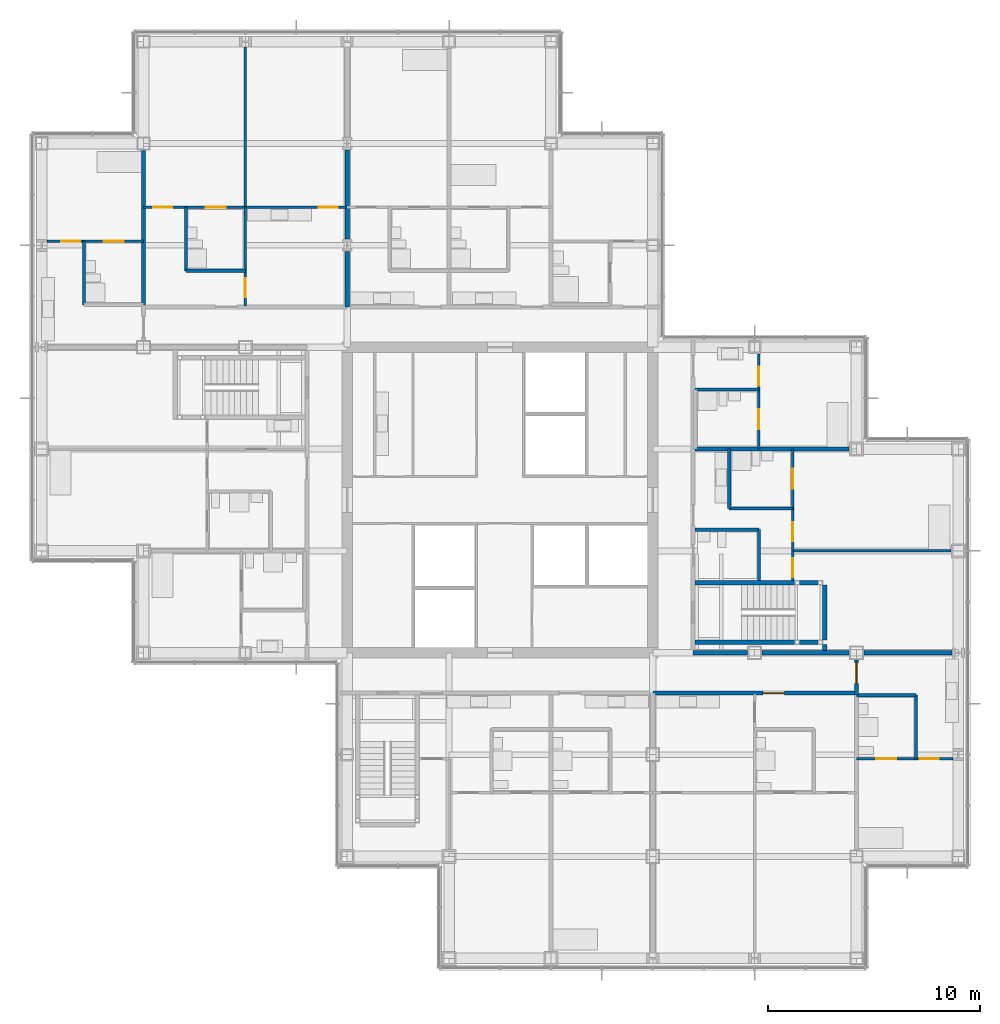
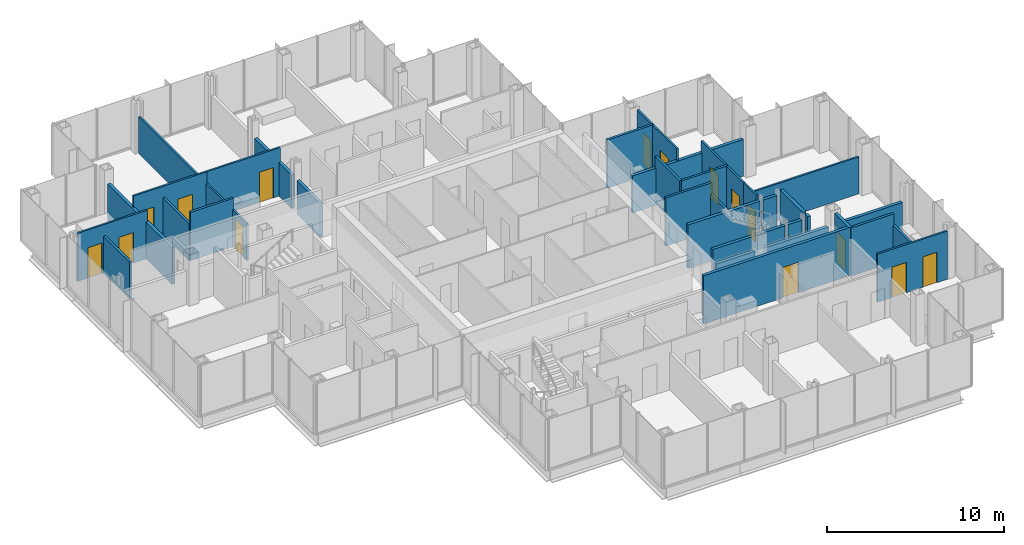
# One storey, part 16 of 20: 35 walls, 15 doors, 15 openings.
"""IFC4 building model written with IfcOpenShell, lengths in metres."""

from ifc_helpers import new_model, si_unit, direction, frame, frame_2d, origin, place, context, subcontext, project, spatial, rectangle, extrude, material, layer, layer_set, type_object, element, fill, save


model = new_model("IFC4")

# Units and contexts
model_context = context("Model", 3, precision=1e-05, world=origin(), true_north=direction((0.0, 1.0)))
body_context = subcontext(model_context, "Body", "Model", "MODEL_VIEW")
ifc_project = project(units=[si_unit("LENGTHUNIT", "METRE"), si_unit("AREAUNIT", "SQUARE_METRE"), si_unit("VOLUMEUNIT", "CUBIC_METRE"), si_unit("PLANEANGLEUNIT", "RADIAN"), si_unit("MASSUNIT", "GRAM", prefix="KILO")], contexts=[model_context])

# Site, building, storey
site_placement = place(None, origin())
site = spatial("IfcSite", under=ifc_project, at=site_placement, CompositionType="ELEMENT")
building_placement = place(site_placement, origin())
building = spatial("IfcBuilding", under=site, at=building_placement, Name="Kvirike Care Tower", CompositionType="ELEMENT")
storey_placement = place(building_placement, frame((0.0, 0.0, 94.5)))
storey = spatial("IfcBuildingStorey", under=building, at=storey_placement, Name="L25", CompositionType="ELEMENT", Elevation=94.5)

# Walls
ifc_material_1 = material(Name="Moisture-resistant board partition", Category="gypsum")
ifc_layer_1 = layer(ifc_material_1, 0.14990234375)
ifc_layer_set_1 = layer_set([ifc_layer_1], Name="BATHROOM WALL 150")
wall_type_1 = type_object("IfcWallType", Name="BATHROOM WALL 150", PredefinedType="PARTITIONING", material=ifc_layer_set_1)
wall_1_placement = place(storey_placement, frame((6.800048828125, 49.800048828125, 0.0), z_axis=(0.0, 0.0, 1.0), x_axis=(0.0, -1.0, 0.0)))
element("IfcWall", 1, at=wall_1_placement, inside=storey, type_object=wall_type_1, Name="Bathroom Wall 150 L25", PredefinedType="PARTITIONING", context=body_context, shape_type="SweptSolid", body=[
    extrude(rectangle(XDim=3.0, YDim=0.14990234375, at=frame_2d((1.5, 0.0))), origin(), (0.0, 0.0, 1.0), 2.550048828125),
])
wall_2_placement = place(storey_placement, frame((9.60009765625, 46.800048828125, 0.0), z_axis=(0.0, 0.0, 1.0), x_axis=(-1.0, 0.0, 0.0)))
element("IfcWall", 2, at=wall_2_placement, inside=storey, type_object=wall_type_1, Name="Bathroom Wall 150 L25", PredefinedType="PARTITIONING", context=body_context, shape_type="SweptSolid", body=[
    extrude(rectangle(XDim=2.800048828125, YDim=0.14990234375, at=frame_2d((1.39990234375, 0.0))), origin(), (0.0, 0.0, 1.0), 3.330078125),
])
for number, where, z_axis, x_axis, name in (
    (3, (2.0, 48.199951171875, 0.0), (0.0, 0.0, 1.0), (0.0, -1.0, 0.0), "Bathroom Wall 150 L25"),
    (4, (41.199951171875, 23.800048828125, 0.0), (0.0, 0.0, 1.0), (0.0, 1.0, 0.0), "Bathroom Wall 150 L25"),
):
    element("IfcWall", number, at=place(storey_placement, frame(where, z_axis=z_axis, x_axis=x_axis)), inside=storey, type_object=wall_type_1, Name=name, PredefinedType="PARTITIONING", context=body_context, shape_type="SweptSolid", body=[
        extrude(rectangle(XDim=3.0, YDim=0.14990234375, at=frame_2d((1.5, 0.0))), origin(), (0.0, 0.0, 1.0), 2.550048828125),
    ])
wall_3_placement = place(storey_placement, frame((38.39990234375, 26.800048828125, 0.0), z_axis=(0.0, 0.0, 1.0), x_axis=(1.0, 0.0, 0.0)))
element("IfcWall", 5, at=wall_3_placement, inside=storey, type_object=wall_type_1, Name="Bathroom Wall 150 L25", PredefinedType="PARTITIONING", context=body_context, shape_type="SweptSolid", body=[
    extrude(rectangle(XDim=2.800048828125, YDim=0.14990234375, at=frame_2d((1.39990234375, 0.0))), origin(), (0.0, 0.0, 1.0), 3.330078125),
])
wall_4_placement = place(storey_placement, frame((33.800048828125, 32.199951171875, 0.0), z_axis=(0.0, 0.0, 1.0), x_axis=(0.0, 1.0, 0.0)))
element("IfcWall", 6, at=wall_4_placement, inside=storey, type_object=wall_type_1, Name="Bathroom Wall 150 L25", PredefinedType="PARTITIONING", context=body_context, shape_type="SweptSolid", body=[
    extrude(rectangle(XDim=2.400146484375, YDim=0.14990234375, at=frame_2d((1.2001953125, 0.0))), origin(), (0.0, 0.0, 1.0), 2.550048828125),
])
for number, where, z_axis, x_axis, name in (
    (7, (33.800048828125, 34.60009765625, 0.0), (0.0, 0.0, 1.0), (-1.0, 0.0, 0.0), "Bathroom Wall 150 L25"),
    (8, (35.39990234375, 35.60009765625, 0.0), (0.0, 0.0, 1.0), (-1.0, 0.0, 0.0), "Bathroom Wall 150 L25"),
):
    element("IfcWall", number, at=place(storey_placement, frame(where, z_axis=z_axis, x_axis=x_axis)), inside=storey, type_object=wall_type_1, Name=name, PredefinedType="PARTITIONING", context=body_context, shape_type="SweptSolid", body=[
        extrude(rectangle(XDim=3.0, YDim=0.14990234375, at=frame_2d((1.5, 0.0))), origin(), (0.0, 0.0, 1.0), 3.330078125),
    ])
wall_5_placement = place(storey_placement, frame((32.39990234375, 35.60009765625, 0.0), z_axis=(0.0, 0.0, 1.0), x_axis=(0.0, 1.0, 0.0)))
element("IfcWall", 9, at=wall_5_placement, inside=storey, type_object=wall_type_1, Name="Bathroom Wall 150 L25", PredefinedType="PARTITIONING", context=body_context, shape_type="SweptSolid", body=[
    extrude(rectangle(XDim=2.7998046875, YDim=0.14990234375, at=frame_2d((1.39990234375, 0.0))), origin(), (0.0, 0.0, 1.0), 3.330078125),
])
wall_6_placement = place(storey_placement, frame((33.800048828125, 41.199951171875, 0.0), z_axis=(0.0, 0.0, 1.0), x_axis=(-1.0, 0.0, 0.0)))
element("IfcWall", 10, at=wall_6_placement, inside=storey, type_object=wall_type_1, Name="Bathroom Wall 150 L25", PredefinedType="PARTITIONING", context=body_context, shape_type="SweptSolid", body=[
    extrude(rectangle(XDim=3.0, YDim=0.14990234375, at=frame_2d((1.5, 0.0))), origin(), (0.0, 0.0, 1.0), 3.330078125),
])

# Wall, opening, door
ifc_material_2 = material(Name="Plasterboard corridor wall", Category="gypsum")
ifc_layer_2 = layer(ifc_material_2, 0.199951171875)
ifc_layer_set_2 = layer_set([ifc_layer_2], Name="CORRIDOR WALL 200")
wall_type_2 = type_object("IfcWallType", Name="CORRIDOR WALL 200", PredefinedType="PARTITIONING", material=ifc_layer_set_2)
wall_7_placement = place(storey_placement, frame((28.800048828125, 26.89990234375, 0.0), z_axis=(0.0, 0.0, 1.0), x_axis=(1.0, 0.0, 0.0)))
wall_7 = element("IfcWall", 11, at=wall_7_placement, inside=storey, type_object=wall_type_2, Name="Corridor Wall 200 L25", PredefinedType="PARTITIONING", context=body_context, shape_type="SweptSolid", body=[
    extrude(rectangle(XDim=9.599853515625, YDim=0.199951171875, at=frame_2d((4.7998046875, 0.0))), origin(), (0.0, 0.0, 1.0), 3.330078125),
])
opening_1_placement = place(wall_7_placement, frame((5.199951171875, 0.0, 0.0)))
opening_1 = element("IfcOpeningElement", 12, at=opening_1_placement, cuts=wall_7, Name="Opening 25-041", PredefinedType="OPENING", context=body_context, shape_type="SweptSolid", body=[
    extrude(rectangle(XDim=1.0, YDim=2.10009765625, at=frame_2d((0.5, 1.050048828125))), frame((0.0, 0.110595703125, 0.0), z_axis=(0.0, -1.0, 0.0), x_axis=(1.0, 0.0, 0.0)), (0.0, 0.0, 1.0), 0.220947265625),
])
ifc_material_3 = material(Name="Timber door set", Category="wood")
door_type_1 = type_object("IfcDoorType", Name="FLAT ENTRANCE DOOR 1000", OperationType="SINGLE_SWING_LEFT", PredefinedType="DOOR", material=ifc_material_3)
door_1_placement = place(opening_1_placement, frame((1.0, 0.0, 0.0), z_axis=(0.0, 0.0, 1.0), x_axis=(-1.0, 0.0, 0.0)))
door_1 = element("IfcDoor", 13, at=door_1_placement, inside=storey, type_object=door_type_1, Name="Accessible assisted living suite entrance", OperationType="SINGLE_SWING_LEFT", OverallHeight=2.10009765625, OverallWidth=1.0, PredefinedType="DOOR", context=body_context, shape_type="SweptSolid", body=[
    extrude(rectangle(XDim=1.0, YDim=2.10009765625, at=frame_2d((0.5, 1.050048828125))), frame((0.0, 0.02685546875, 0.0), z_axis=(0.0, -1.0, 0.0), x_axis=(1.0, 0.0, 0.0)), (0.0, 0.0, 1.0), 0.053955078125),
])
fill(opening_1, door_1)

wall_8_placement = place(storey_placement, frame((38.39990234375, 26.800048828125, 0.0), z_axis=(0.0, 0.0, 1.0), x_axis=(0.0, 1.0, 0.0)))
wall_8 = element("IfcWall", 14, at=wall_8_placement, inside=storey, type_object=wall_type_2, Name="Corridor Wall 200 L25", PredefinedType="PARTITIONING", context=body_context, shape_type="SweptSolid", body=[
    extrude(rectangle(XDim=1.655029296875, YDim=0.199951171875, at=frame_2d((0.82763671875, 0.0))), origin(), (0.0, 0.0, 1.0), 3.330078125),
])
opening_2_placement = place(wall_8_placement, frame((0.550048828125, 0.0, 0.0)))
opening_2 = element("IfcOpeningElement", 15, at=opening_2_placement, cuts=wall_8, Name="Opening 25-042", PredefinedType="OPENING", context=body_context, shape_type="SweptSolid", body=[
    extrude(rectangle(XDim=1.0, YDim=2.10009765625, at=frame_2d((0.5, 1.050048828125))), frame((0.0, 0.110595703125, 0.0), z_axis=(0.0, -1.0, 0.0), x_axis=(1.0, 0.0, 0.0)), (0.0, 0.0, 1.0), 0.220947265625),
])
door_2_placement = place(opening_2_placement, frame((1.0, 0.0, 0.0), z_axis=(0.0, 0.0, 1.0), x_axis=(-1.0, 0.0, 0.0)))
door_2 = element("IfcDoor", 16, at=door_2_placement, inside=storey, type_object=door_type_1, Name="Assisted living suite entrance", OperationType="SINGLE_SWING_RIGHT", OverallHeight=2.10009765625, OverallWidth=1.0, PredefinedType="DOOR", context=body_context, shape_type="SweptSolid", body=[
    extrude(rectangle(XDim=1.0, YDim=2.10009765625, at=frame_2d((0.5, 1.050048828125))), frame((0.0, 0.02685546875, 0.0), z_axis=(0.0, -1.0, 0.0), x_axis=(1.0, 0.0, 0.0)), (0.0, 0.0, 1.0), 0.053955078125),
])
fill(opening_2, door_2)

ifc_material_4 = material(Name="Plasterboard partition", Category="gypsum")
ifc_layer_3 = layer(ifc_material_4, 0.1201171875)
ifc_layer_set_3 = layer_set([ifc_layer_3], Name="PARTITION 120")
wall_type_3 = type_object("IfcWallType", Name="PARTITION 120", PredefinedType="PARTITIONING", material=ifc_layer_set_3)
wall_9_placement = place(storey_placement, frame((9.60009765625, 49.800048828125, 0.0), z_axis=(0.0, 0.0, 1.0), x_axis=(0.0, -1.0, 0.0)))
wall_9 = element("IfcWall", 17, at=wall_9_placement, inside=storey, type_object=wall_type_3, Name="Partition 120 L25", PredefinedType="PARTITIONING", context=body_context, shape_type="SweptSolid", body=[
    extrude(rectangle(XDim=4.650146484375, YDim=0.1201171875, at=frame_2d((2.3251953125, 0.0))), origin(), (0.0, 0.0, 1.0), 2.550048828125),
])
opening_3_placement = place(wall_9_placement, frame((3.35009765625, 0.0, 0.0)))
opening_3 = element("IfcOpeningElement", 18, at=opening_3_placement, cuts=wall_9, Name="Opening 25-010", PredefinedType="OPENING", context=body_context, shape_type="SweptSolid", body=[
    extrude(rectangle(XDim=0.89990234375, YDim=2.10009765625, at=frame_2d((0.449951171875, 1.050048828125))), frame((0.0, 0.070556640625, 0.0), z_axis=(0.0, -1.0, 0.0), x_axis=(1.0, 0.0, 0.0)), (0.0, 0.0, 1.0), 0.14111328125),
])
ifc_material_5 = material(Name="Timber door set", Category="wood")
door_type_2 = type_object("IfcDoorType", Name="INTERNAL DOOR 900", OperationType="SINGLE_SWING_LEFT", PredefinedType="DOOR", material=ifc_material_5)
door_3_placement = place(opening_3_placement, origin())
door_3 = element("IfcDoor", 19, at=door_3_placement, inside=storey, type_object=door_type_2, Name="Hall door", OperationType="SINGLE_SWING_LEFT", OverallHeight=2.10009765625, OverallWidth=0.89990234375, PredefinedType="DOOR", context=body_context, shape_type="SweptSolid", body=[
    extrude(rectangle(XDim=0.89990234375, YDim=2.10009765625, at=frame_2d((0.449951171875, 1.050048828125))), frame((0.0, 0.02197265625, 0.0), z_axis=(0.0, -1.0, 0.0), x_axis=(1.0, 0.0, 0.0)), (0.0, 0.0, 1.0), 0.0439453125),
])
fill(opening_3, door_3)

wall_10_placement = place(storey_placement, frame((14.39990234375, 49.800048828125, 0.0), z_axis=(0.0, 0.0, 1.0), x_axis=(-1.0, 0.0, 0.0)))
wall_10 = element("IfcWall", 20, at=wall_10_placement, inside=storey, type_object=wall_type_3, Name="Partition 120 L25", PredefinedType="PARTITIONING", context=body_context, shape_type="SweptSolid", body=[
    extrude(rectangle(XDim=4.7998046875, YDim=0.1201171875, at=frame_2d((2.39990234375, 0.0))), origin(), (0.0, 0.0, 1.0), 3.330078125),
])
opening_4_placement = place(wall_10_placement, frame((0.449951171875, 0.0, 0.0)))
opening_4 = element("IfcOpeningElement", 21, at=opening_4_placement, cuts=wall_10, Name="Opening 25-011", PredefinedType="OPENING", context=body_context, shape_type="SweptSolid", body=[
    extrude(rectangle(XDim=0.89990234375, YDim=2.10009765625, at=frame_2d((0.449951171875, 1.050048828125))), frame((0.0, 0.070556640625, 0.0), z_axis=(0.0, -1.0, 0.0), x_axis=(1.0, 0.0, 0.0)), (0.0, 0.0, 1.0), 0.14111328125),
])
door_4_placement = place(opening_4_placement, origin())
door_4 = element("IfcDoor", 22, at=door_4_placement, inside=storey, type_object=door_type_2, Name="Suite sitting room door", OperationType="SINGLE_SWING_RIGHT", OverallHeight=2.10009765625, OverallWidth=0.89990234375, PredefinedType="DOOR", context=body_context, shape_type="SweptSolid", body=[
    extrude(rectangle(XDim=0.89990234375, YDim=2.10009765625, at=frame_2d((0.449951171875, 1.050048828125))), frame((0.0, 0.02197265625, 0.0), z_axis=(0.0, -1.0, 0.0), x_axis=(1.0, 0.0, 0.0)), (0.0, 0.0, 1.0), 0.0439453125),
])
fill(opening_4, door_4)

# Wall, openings, doors
wall_11_placement = place(storey_placement, frame((9.60009765625, 49.800048828125, 0.0), z_axis=(0.0, 0.0, 1.0), x_axis=(-1.0, 0.0, 0.0)))
wall_11 = element("IfcWall", 23, at=wall_11_placement, inside=storey, type_object=wall_type_3, Name="Partition 120 L25", PredefinedType="PARTITIONING", context=body_context, shape_type="SweptSolid", body=[
    extrude(rectangle(XDim=4.800048828125, YDim=0.1201171875, at=frame_2d((2.39990234375, 0.0))), origin(), (0.0, 0.0, 1.0), 3.330078125),
])
opening_5_placement = place(wall_11_placement, frame((3.449951171875, 0.0, 0.0)))
opening_5 = element("IfcOpeningElement", 24, at=opening_5_placement, cuts=wall_11, Name="Opening 25-012", PredefinedType="OPENING", context=body_context, shape_type="SweptSolid", body=[
    extrude(rectangle(XDim=0.89990234375, YDim=2.10009765625, at=frame_2d((0.449951171875, 1.050048828125))), frame((0.0, 0.070556640625, 0.0), z_axis=(0.0, -1.0, 0.0), x_axis=(1.0, 0.0, 0.0)), (0.0, 0.0, 1.0), 0.14111328125),
])
opening_6_placement = place(wall_11_placement, frame((0.925048828125, 0.0, 0.0)))
opening_6 = element("IfcOpeningElement", 25, at=opening_6_placement, cuts=wall_11, Name="Opening 25-013", PredefinedType="OPENING", context=body_context, shape_type="SweptSolid", body=[
    extrude(rectangle(XDim=0.949951171875, YDim=2.10009765625, at=frame_2d((0.47509765625, 1.050048828125))), frame((0.0, 0.070556640625, 0.0), z_axis=(0.0, -1.0, 0.0), x_axis=(1.0, 0.0, 0.0)), (0.0, 0.0, 1.0), 0.14111328125),
])
ifc_material_6 = material(Name="Timber door set", Category="wood")
door_type_3 = type_object("IfcDoorType", Name="EN-SUITE SLIDING DOOR 950", OperationType="SLIDING_TO_LEFT", PredefinedType="DOOR", material=ifc_material_6)
door_5_placement = place(opening_6_placement, origin())
door_5 = element("IfcDoor", 26, at=door_5_placement, inside=storey, type_object=door_type_3, Name="En-suite door", OperationType="SLIDING_TO_RIGHT", OverallHeight=2.10009765625, OverallWidth=0.949951171875, PredefinedType="DOOR", context=body_context, shape_type="SweptSolid", body=[
    extrude(rectangle(XDim=0.949951171875, YDim=2.10009765625, at=frame_2d((0.47509765625, 1.050048828125))), frame((0.0, 0.02197265625, 0.0), z_axis=(0.0, -1.0, 0.0), x_axis=(1.0, 0.0, 0.0)), (0.0, 0.0, 1.0), 0.0439453125),
])
fill(opening_6, door_5)
door_6_placement = place(opening_5_placement, origin())
door_6 = element("IfcDoor", 27, at=door_6_placement, inside=storey, type_object=door_type_2, Name="Accessible assisted living suite door", OperationType="SINGLE_SWING_LEFT", OverallHeight=2.10009765625, OverallWidth=0.89990234375, PredefinedType="DOOR", context=body_context, shape_type="SweptSolid", body=[
    extrude(rectangle(XDim=0.89990234375, YDim=2.10009765625, at=frame_2d((0.449951171875, 1.050048828125))), frame((0.0, 0.02197265625, 0.0), z_axis=(0.0, -1.0, 0.0), x_axis=(1.0, 0.0, 0.0)), (0.0, 0.0, 1.0), 0.0439453125),
])
fill(opening_5, door_6)

# Wall
wall_12_placement = place(storey_placement, frame((9.60009765625, 57.35302734375, 0.0), z_axis=(0.0, 0.0, 1.0), x_axis=(0.0, -1.0, 0.0)))
element("IfcWall", 28, at=wall_12_placement, inside=storey, type_object=wall_type_3, Name="Partition 120 L25", PredefinedType="PARTITIONING", context=body_context, shape_type="SweptSolid", body=[
    extrude(rectangle(XDim=7.552978515625, YDim=0.1201171875, at=frame_2d((3.7763671875, 0.0))), origin(), (0.0, 0.0, 1.0), 2.550048828125),
])

# Wall, openings, doors
wall_13_placement = place(storey_placement, frame((4.800048828125, 48.199951171875, 0.0), z_axis=(0.0, 0.0, 1.0), x_axis=(-1.0, 0.0, 0.0)))
wall_13 = element("IfcWall", 29, at=wall_13_placement, inside=storey, type_object=wall_type_3, Name="Partition 120 L25", PredefinedType="PARTITIONING", context=body_context, shape_type="SweptSolid", body=[
    extrude(rectangle(XDim=4.552978515625, YDim=0.1201171875, at=frame_2d((2.2763671875, 0.0))), origin(), (0.0, 0.0, 1.0), 3.330078125),
])
opening_7_placement = place(wall_13_placement, frame((2.97509765625, 0.0, 0.0)))
opening_7 = element("IfcOpeningElement", 30, at=opening_7_placement, cuts=wall_13, Name="Opening 25-014", PredefinedType="OPENING", context=body_context, shape_type="SweptSolid", body=[
    extrude(rectangle(XDim=0.89990234375, YDim=2.10009765625, at=frame_2d((0.449951171875, 1.050048828125))), frame((0.0, 0.070556640625, 0.0), z_axis=(0.0, -1.0, 0.0), x_axis=(1.0, 0.0, 0.0)), (0.0, 0.0, 1.0), 0.14111328125),
])
opening_8_placement = place(wall_13_placement, frame((0.925048828125, 0.0, 0.0)))
opening_8 = element("IfcOpeningElement", 31, at=opening_8_placement, cuts=wall_13, Name="Opening 25-015", PredefinedType="OPENING", context=body_context, shape_type="SweptSolid", body=[
    extrude(rectangle(XDim=0.949951171875, YDim=2.10009765625, at=frame_2d((0.47509765625, 1.050048828125))), frame((0.0, 0.070556640625, 0.0), z_axis=(0.0, -1.0, 0.0), x_axis=(1.0, 0.0, 0.0)), (0.0, 0.0, 1.0), 0.14111328125),
])
door_7_placement = place(opening_8_placement, origin())
door_7 = element("IfcDoor", 32, at=door_7_placement, inside=storey, type_object=door_type_3, Name="En-suite door", OperationType="SLIDING_TO_LEFT", OverallHeight=2.10009765625, OverallWidth=0.949951171875, PredefinedType="DOOR", context=body_context, shape_type="SweptSolid", body=[
    extrude(rectangle(XDim=0.949951171875, YDim=2.10009765625, at=frame_2d((0.47509765625, 1.050048828125))), frame((0.0, 0.02197265625, 0.0), z_axis=(0.0, -1.0, 0.0), x_axis=(1.0, 0.0, 0.0)), (0.0, 0.0, 1.0), 0.0439453125),
])
fill(opening_8, door_7)
door_8_placement = place(opening_7_placement, origin())
door_8 = element("IfcDoor", 33, at=door_8_placement, inside=storey, type_object=door_type_2, Name="Assisted living suite door", OperationType="SINGLE_SWING_RIGHT", OverallHeight=2.10009765625, OverallWidth=0.89990234375, PredefinedType="DOOR", context=body_context, shape_type="SweptSolid", body=[
    extrude(rectangle(XDim=0.89990234375, YDim=2.10009765625, at=frame_2d((0.449951171875, 1.050048828125))), frame((0.0, 0.02197265625, 0.0), z_axis=(0.0, -1.0, 0.0), x_axis=(1.0, 0.0, 0.0)), (0.0, 0.0, 1.0), 0.0439453125),
])
fill(opening_7, door_8)

wall_14_placement = place(storey_placement, frame((38.39990234375, 23.800048828125, 0.0), z_axis=(0.0, 0.0, 1.0), x_axis=(1.0, 0.0, 0.0)))
wall_14 = element("IfcWall", 34, at=wall_14_placement, inside=storey, type_object=wall_type_3, Name="Partition 120 L25", PredefinedType="PARTITIONING", context=body_context, shape_type="SweptSolid", body=[
    extrude(rectangle(XDim=4.552978515625, YDim=0.1201171875, at=frame_2d((2.2763671875, 0.0))), origin(), (0.0, 0.0, 1.0), 3.330078125),
])
opening_9_placement = place(wall_14_placement, frame((2.97509765625, 0.0, 0.0)))
opening_9 = element("IfcOpeningElement", 35, at=opening_9_placement, cuts=wall_14, Name="Opening 25-039", PredefinedType="OPENING", context=body_context, shape_type="SweptSolid", body=[
    extrude(rectangle(XDim=0.89990234375, YDim=2.10009765625, at=frame_2d((0.449951171875, 1.050048828125))), frame((0.0, 0.070556640625, 0.0), z_axis=(0.0, -1.0, 0.0), x_axis=(1.0, 0.0, 0.0)), (0.0, 0.0, 1.0), 0.14111328125),
])
opening_10_placement = place(wall_14_placement, frame((0.925048828125, 0.0, 0.0)))
opening_10 = element("IfcOpeningElement", 36, at=opening_10_placement, cuts=wall_14, Name="Opening 25-040", PredefinedType="OPENING", context=body_context, shape_type="SweptSolid", body=[
    extrude(rectangle(XDim=0.949951171875, YDim=2.10009765625, at=frame_2d((0.47509765625, 1.050048828125))), frame((0.0, 0.070556640625, 0.0), z_axis=(0.0, -1.0, 0.0), x_axis=(1.0, 0.0, 0.0)), (0.0, 0.0, 1.0), 0.14111328125),
])
door_9_placement = place(opening_10_placement, origin())
door_9 = element("IfcDoor", 37, at=door_9_placement, inside=storey, type_object=door_type_3, Name="En-suite door", OperationType="SLIDING_TO_LEFT", OverallHeight=2.10009765625, OverallWidth=0.949951171875, PredefinedType="DOOR", context=body_context, shape_type="SweptSolid", body=[
    extrude(rectangle(XDim=0.949951171875, YDim=2.10009765625, at=frame_2d((0.47509765625, 1.050048828125))), frame((0.0, 0.02197265625, 0.0), z_axis=(0.0, -1.0, 0.0), x_axis=(1.0, 0.0, 0.0)), (0.0, 0.0, 1.0), 0.0439453125),
])
fill(opening_10, door_9)
door_10_placement = place(opening_9_placement, origin())
door_10 = element("IfcDoor", 38, at=door_10_placement, inside=storey, type_object=door_type_2, Name="Assisted living suite door", OperationType="SINGLE_SWING_RIGHT", OverallHeight=2.10009765625, OverallWidth=0.89990234375, PredefinedType="DOOR", context=body_context, shape_type="SweptSolid", body=[
    extrude(rectangle(XDim=0.89990234375, YDim=2.10009765625, at=frame_2d((0.449951171875, 1.050048828125))), frame((0.0, 0.02197265625, 0.0), z_axis=(0.0, -1.0, 0.0), x_axis=(1.0, 0.0, 0.0)), (0.0, 0.0, 1.0), 0.0439453125),
])
fill(opening_9, door_10)

# Wall, opening, door
wall_15_placement = place(storey_placement, frame((35.39990234375, 32.199951171875, 0.0), z_axis=(0.0, 0.0, 1.0), x_axis=(0.0, 1.0, 0.0)))
wall_15 = element("IfcWall", 39, at=wall_15_placement, inside=storey, type_object=wall_type_3, Name="Partition 120 L25", PredefinedType="PARTITIONING", context=body_context, shape_type="SweptSolid", body=[
    extrude(rectangle(XDim=1.400146484375, YDim=0.1201171875, at=frame_2d((0.7001953125, 0.0))), origin(), (0.0, 0.0, 1.0), 3.330078125),
])
opening_11_placement = place(wall_15_placement, frame((0.14990234375, 0.0, 0.0)))
opening_11 = element("IfcOpeningElement", 40, at=opening_11_placement, cuts=wall_15, Name="Opening 25-043", PredefinedType="OPENING", context=body_context, shape_type="SweptSolid", body=[
    extrude(rectangle(XDim=0.89990234375, YDim=2.10009765625, at=frame_2d((0.449951171875, 1.050048828125))), frame((0.0, 0.070556640625, 0.0), z_axis=(0.0, -1.0, 0.0), x_axis=(1.0, 0.0, 0.0)), (0.0, 0.0, 1.0), 0.14111328125),
])
door_11_placement = place(opening_11_placement, origin())
door_11 = element("IfcDoor", 41, at=door_11_placement, inside=storey, type_object=door_type_2, Name="Suite sitting room door", OperationType="SINGLE_SWING_RIGHT", OverallHeight=2.10009765625, OverallWidth=0.89990234375, PredefinedType="DOOR", context=body_context, shape_type="SweptSolid", body=[
    extrude(rectangle(XDim=0.89990234375, YDim=2.10009765625, at=frame_2d((0.449951171875, 1.050048828125))), frame((0.0, 0.02197265625, 0.0), z_axis=(0.0, -1.0, 0.0), x_axis=(1.0, 0.0, 0.0)), (0.0, 0.0, 1.0), 0.0439453125),
])
fill(opening_11, door_11)

# Wall, openings, doors
wall_16_placement = place(storey_placement, frame((35.39990234375, 33.60009765625, 0.0), z_axis=(0.0, 0.0, 1.0), x_axis=(0.0, 1.0, 0.0)))
wall_16 = element("IfcWall", 42, at=wall_16_placement, inside=storey, type_object=wall_type_3, Name="Partition 120 L25", PredefinedType="PARTITIONING", context=body_context, shape_type="SweptSolid", body=[
    extrude(rectangle(XDim=4.7998046875, YDim=0.1201171875, at=frame_2d((2.39990234375, 0.0))), origin(), (0.0, 0.0, 1.0), 3.330078125),
])
opening_12_placement = place(wall_16_placement, frame((0.449951171875, 0.0, 0.0)))
opening_12 = element("IfcOpeningElement", 43, at=opening_12_placement, cuts=wall_16, Name="Opening 25-044", PredefinedType="OPENING", context=body_context, shape_type="SweptSolid", body=[
    extrude(rectangle(XDim=0.89990234375, YDim=2.10009765625, at=frame_2d((0.449951171875, 1.050048828125))), frame((0.0, 0.070556640625, 0.0), z_axis=(0.0, -1.0, 0.0), x_axis=(1.0, 0.0, 0.0)), (0.0, 0.0, 1.0), 0.14111328125),
])
opening_13_placement = place(wall_16_placement, frame((2.925048828125, 0.0, 0.0)))
opening_13 = element("IfcOpeningElement", 44, at=opening_13_placement, cuts=wall_16, Name="Opening 25-045", PredefinedType="OPENING", context=body_context, shape_type="SweptSolid", body=[
    extrude(rectangle(XDim=0.949951171875, YDim=2.10009765625, at=frame_2d((0.47509765625, 1.050048828125))), frame((0.0, 0.070556640625, 0.0), z_axis=(0.0, -1.0, 0.0), x_axis=(1.0, 0.0, 0.0)), (0.0, 0.0, 1.0), 0.14111328125),
])
door_12_placement = place(opening_13_placement, origin())
door_12 = element("IfcDoor", 45, at=door_12_placement, inside=storey, type_object=door_type_3, Name="En-suite door", OperationType="SLIDING_TO_LEFT", OverallHeight=2.10009765625, OverallWidth=0.949951171875, PredefinedType="DOOR", context=body_context, shape_type="SweptSolid", body=[
    extrude(rectangle(XDim=0.949951171875, YDim=2.10009765625, at=frame_2d((0.47509765625, 1.050048828125))), frame((0.0, 0.02197265625, 0.0), z_axis=(0.0, -1.0, 0.0), x_axis=(1.0, 0.0, 0.0)), (0.0, 0.0, 1.0), 0.0439453125),
])
fill(opening_13, door_12)
door_13_placement = place(opening_12_placement, origin())
door_13 = element("IfcDoor", 46, at=door_13_placement, inside=storey, type_object=door_type_2, Name="Assisted living suite door", OperationType="SINGLE_SWING_LEFT", OverallHeight=2.10009765625, OverallWidth=0.89990234375, PredefinedType="DOOR", context=body_context, shape_type="SweptSolid", body=[
    extrude(rectangle(XDim=0.89990234375, YDim=2.10009765625, at=frame_2d((0.449951171875, 1.050048828125))), frame((0.0, 0.02197265625, 0.0), z_axis=(0.0, -1.0, 0.0), x_axis=(1.0, 0.0, 0.0)), (0.0, 0.0, 1.0), 0.0439453125),
])
fill(opening_12, door_13)

# Wall
wall_17_placement = place(storey_placement, frame((42.85498046875, 33.60009765625, 0.0), z_axis=(0.0, 0.0, 1.0), x_axis=(-1.0, 0.0, 0.0)))
element("IfcWall", 47, at=wall_17_placement, inside=storey, type_object=wall_type_3, Name="Partition 120 L25", PredefinedType="PARTITIONING", context=body_context, shape_type="SweptSolid", body=[
    extrude(rectangle(XDim=7.455078125, YDim=0.1201171875, at=frame_2d((3.7275390625, 0.0))), origin(), (0.0, 0.0, 1.0), 2.550048828125),
])

# Wall, openings, doors
wall_18_placement = place(storey_placement, frame((33.800048828125, 38.39990234375, 0.0), z_axis=(0.0, 0.0, 1.0), x_axis=(0.0, 1.0, 0.0)))
wall_18 = element("IfcWall", 48, at=wall_18_placement, inside=storey, type_object=wall_type_3, Name="Partition 120 L25", PredefinedType="PARTITIONING", context=body_context, shape_type="SweptSolid", body=[
    extrude(rectangle(XDim=4.47998046875, YDim=0.1201171875, at=frame_2d((2.239990234375, 0.0))), origin(), (0.0, 0.0, 1.0), 3.330078125),
])
opening_14_placement = place(wall_18_placement, frame((2.97509765625, 0.0, 0.0)))
opening_14 = element("IfcOpeningElement", 49, at=opening_14_placement, cuts=wall_18, Name="Opening 25-046", PredefinedType="OPENING", context=body_context, shape_type="SweptSolid", body=[
    extrude(rectangle(XDim=0.89990234375, YDim=2.10009765625, at=frame_2d((0.449951171875, 1.050048828125))), frame((0.0, 0.070556640625, 0.0), z_axis=(0.0, -1.0, 0.0), x_axis=(1.0, 0.0, 0.0)), (0.0, 0.0, 1.0), 0.14111328125),
])
opening_15_placement = place(wall_18_placement, frame((0.925048828125, 0.0, 0.0)))
opening_15 = element("IfcOpeningElement", 50, at=opening_15_placement, cuts=wall_18, Name="Opening 25-047", PredefinedType="OPENING", context=body_context, shape_type="SweptSolid", body=[
    extrude(rectangle(XDim=0.949951171875, YDim=2.10009765625, at=frame_2d((0.47509765625, 1.050048828125))), frame((0.0, 0.070556640625, 0.0), z_axis=(0.0, -1.0, 0.0), x_axis=(1.0, 0.0, 0.0)), (0.0, 0.0, 1.0), 0.14111328125),
])
door_14_placement = place(opening_15_placement, origin())
door_14 = element("IfcDoor", 51, at=door_14_placement, inside=storey, type_object=door_type_3, Name="En-suite door", OperationType="SLIDING_TO_RIGHT", OverallHeight=2.10009765625, OverallWidth=0.949951171875, PredefinedType="DOOR", context=body_context, shape_type="SweptSolid", body=[
    extrude(rectangle(XDim=0.949951171875, YDim=2.10009765625, at=frame_2d((0.47509765625, 1.050048828125))), frame((0.0, 0.02197265625, 0.0), z_axis=(0.0, -1.0, 0.0), x_axis=(1.0, 0.0, 0.0)), (0.0, 0.0, 1.0), 0.0439453125),
])
fill(opening_15, door_14)
door_15_placement = place(opening_14_placement, origin())
door_15 = element("IfcDoor", 52, at=door_15_placement, inside=storey, type_object=door_type_2, Name="Assisted living suite door", OperationType="SINGLE_SWING_RIGHT", OverallHeight=2.10009765625, OverallWidth=0.89990234375, PredefinedType="DOOR", context=body_context, shape_type="SweptSolid", body=[
    extrude(rectangle(XDim=0.89990234375, YDim=2.10009765625, at=frame_2d((0.449951171875, 1.050048828125))), frame((0.0, 0.02197265625, 0.0), z_axis=(0.0, -1.0, 0.0), x_axis=(1.0, 0.0, 0.0)), (0.0, 0.0, 1.0), 0.0439453125),
])
fill(opening_14, door_15)

# Walls
ifc_material_7 = material(Name="Plasterboard party wall", Category="gypsum")
ifc_layer_4 = layer(ifc_material_7, 0.199951171875)
ifc_layer_set_4 = layer_set([ifc_layer_4], Name="PARTY WALL 200")
wall_type_4 = type_object("IfcWallType", Name="PARTY WALL 200", PredefinedType="PARTITIONING", material=ifc_layer_set_4)
wall_19_placement = place(storey_placement, frame((4.800048828125, 52.47998046875, 0.0), z_axis=(0.0, 0.0, 1.0), x_axis=(0.0, -1.0, 0.0)))
element("IfcWall", 53, at=wall_19_placement, inside=storey, type_object=wall_type_4, Name="Party Wall 200 L25", PredefinedType="PARTITIONING", context=body_context, shape_type="SweptSolid", body=[
    extrude(rectangle(XDim=7.280029296875, YDim=0.199951171875, at=frame_2d((3.64013671875, 0.0))), origin(), (0.0, 0.0, 1.0), 2.550048828125),
])
wall_20_placement = place(storey_placement, frame((38.054931640625, 38.39990234375, 0.0), z_axis=(0.0, 0.0, 1.0), x_axis=(-1.0, 0.0, 0.0)))
element("IfcWall", 54, at=wall_20_placement, inside=storey, type_object=wall_type_4, Name="Party Wall 200 L25", PredefinedType="PARTITIONING", context=body_context, shape_type="SweptSolid", body=[
    extrude(rectangle(XDim=7.2548828125, YDim=0.199951171875, at=frame_2d((3.62744140625, 0.0))), origin(), (0.0, 0.0, 1.0), 2.550048828125),
])
wall_21_placement = place(storey_placement, frame((14.39990234375, 45.10009765625, 0.0), z_axis=(0.0, 0.0, 1.0), x_axis=(0.0, 1.0, 0.0)))
element("IfcWall", 55, at=wall_21_placement, inside=storey, type_object=wall_type_4, Name="Party Wall 200 L25", PredefinedType="PARTITIONING", context=body_context, shape_type="SweptSolid", body=[
    extrude(rectangle(XDim=2.60498046875, YDim=0.199951171875, at=frame_2d((1.302490234375, 0.0))), origin(), (0.0, 0.0, 1.0), 2.320068359375),
])
wall_22_placement = place(storey_placement, frame((14.39990234375, 48.294921875, 0.0), z_axis=(0.0, 0.0, 1.0), x_axis=(0.0, 1.0, 0.0)))
element("IfcWall", 56, at=wall_22_placement, inside=storey, type_object=wall_type_4, Name="Party Wall 200 L25", PredefinedType="PARTITIONING", context=body_context, shape_type="SweptSolid", body=[
    extrude(rectangle(XDim=4.2099609375, YDim=0.199951171875, at=frame_2d((2.10498046875, 0.0))), origin(), (0.0, 0.0, 1.0), 2.320068359375),
])
wall_23_placement = place(storey_placement, frame((42.8955078125, 28.800048828125, 0.0), z_axis=(0.0, 0.0, 1.0), x_axis=(-1.0, 0.0, 0.0)))
element("IfcWall", 57, at=wall_23_placement, inside=storey, type_object=wall_type_4, Name="Party Wall 200 L25", PredefinedType="PARTITIONING", context=body_context, shape_type="SweptSolid", body=[
    extrude(rectangle(XDim=4.150390625, YDim=0.199951171875, at=frame_2d((2.0751953125, 0.0))), origin(), (0.0, 0.0, 1.0), 2.320068359375),
])
wall_24_placement = place(storey_placement, frame((38.054931640625, 28.800048828125, 0.0), z_axis=(0.0, 0.0, 1.0), x_axis=(-1.0, 0.0, 0.0)))
element("IfcWall", 58, at=wall_24_placement, inside=storey, type_object=wall_type_4, Name="Party Wall 200 L25", PredefinedType="PARTITIONING", context=body_context, shape_type="SweptSolid", body=[
    extrude(rectangle(XDim=4.10986328125, YDim=0.199951171875, at=frame_2d((2.054931640625, 0.0))), origin(), (0.0, 0.0, 1.0), 2.320068359375),
])
wall_25_placement = place(storey_placement, frame((33.2548828125, 28.800048828125, 0.0), z_axis=(0.0, 0.0, 1.0), x_axis=(-1.0, 0.0, 0.0)))
element("IfcWall", 59, at=wall_25_placement, inside=storey, type_object=wall_type_4, Name="Party Wall 200 L25", PredefinedType="PARTITIONING", context=body_context, shape_type="SweptSolid", body=[
    extrude(rectangle(XDim=2.554931640625, YDim=0.199951171875, at=frame_2d((1.27734375, 0.0))), origin(), (0.0, 0.0, 1.0), 2.320068359375),
])
ifc_material_8 = material(Name="Concrete C40/50", Category="concrete")
ifc_layer_5 = layer(ifc_material_8, 0.199951171875)
ifc_layer_set_5 = layer_set([ifc_layer_5], Name="STAIR WALL 200")
wall_type_5 = type_object("IfcWallType", Name="STAIR WALL 200", PredefinedType="SOLIDWALL", material=ifc_layer_set_5)
wall_26_placement = place(storey_placement, frame((36.60009765625, 29.300048828125, 0.0), z_axis=(0.0, 0.0, 1.0), x_axis=(-1.0, 0.0, 0.0)))
element("IfcWall", 60, at=wall_26_placement, inside=storey, type_object=wall_type_5, Name="Stair Wall 200 L25", PredefinedType="SOLIDWALL", context=body_context, shape_type="SweptSolid", body=[
    extrude(rectangle(XDim=0.900146484375, YDim=0.199951171875, at=frame_2d((0.4501953125, 0.0))), origin(), (0.0, 0.0, 1.0), 2.989990234375),
])
wall_27_placement = place(storey_placement, frame((35.5, 29.300048828125, 0.0), z_axis=(0.0, 0.0, 1.0), x_axis=(-1.0, 0.0, 0.0)))
element("IfcWall", 61, at=wall_27_placement, inside=storey, type_object=wall_type_5, Name="Stair Wall 200 L25", PredefinedType="SOLIDWALL", context=body_context, shape_type="SweptSolid", body=[
    extrude(rectangle(XDim=4.699951171875, YDim=0.199951171875, at=frame_2d((2.35009765625, 0.0))), origin(), (0.0, 0.0, 1.0), 2.989990234375),
])
wall_28_placement = place(storey_placement, frame((36.60009765625, 32.10009765625, 0.0), z_axis=(0.0, 0.0, 1.0), x_axis=(-1.0, 0.0, 0.0)))
element("IfcWall", 62, at=wall_28_placement, inside=storey, type_object=wall_type_5, Name="Stair Wall 200 L25", PredefinedType="SOLIDWALL", context=body_context, shape_type="SweptSolid", body=[
    extrude(rectangle(XDim=0.900146484375, YDim=0.199951171875, at=frame_2d((0.4501953125, 0.0))), origin(), (0.0, 0.0, 1.0), 2.989990234375),
])
wall_29_placement = place(storey_placement, frame((35.5, 32.10009765625, 0.0), z_axis=(0.0, 0.0, 1.0), x_axis=(-1.0, 0.0, 0.0)))
element("IfcWall", 63, at=wall_29_placement, inside=storey, type_object=wall_type_5, Name="Stair Wall 200 L25", PredefinedType="SOLIDWALL", context=body_context, shape_type="SweptSolid", body=[
    extrude(rectangle(XDim=4.699951171875, YDim=0.199951171875, at=frame_2d((2.35009765625, 0.0))), origin(), (0.0, 0.0, 1.0), 2.989990234375),
])
wall_30_placement = place(storey_placement, frame((36.89990234375, 28.89990234375, 0.0), z_axis=(0.0, 0.0, 1.0), x_axis=(0.0, 1.0, 0.0)))
element("IfcWall", 64, at=wall_30_placement, inside=storey, type_object=wall_type_5, Name="Stair Wall 200 L25", PredefinedType="SOLIDWALL", context=body_context, shape_type="SweptSolid", body=[
    extrude(rectangle(XDim=0.300048828125, YDim=0.199951171875, at=frame_2d((0.14990234375, 0.0))), origin(), (0.0, 0.0, 1.0), 3.330078125),
])
wall_31_placement = place(storey_placement, frame((36.89990234375, 29.39990234375, 0.0), z_axis=(0.0, 0.0, 1.0), x_axis=(0.0, 1.0, 0.0)))
element("IfcWall", 65, at=wall_31_placement, inside=storey, type_object=wall_type_5, Name="Stair Wall 200 L25", PredefinedType="SOLIDWALL", context=body_context, shape_type="SweptSolid", body=[
    extrude(rectangle(XDim=2.60009765625, YDim=0.199951171875, at=frame_2d((1.300048828125, 0.0))), origin(), (0.0, 0.0, 1.0), 3.330078125),
])

save(model, "model.ifc")
